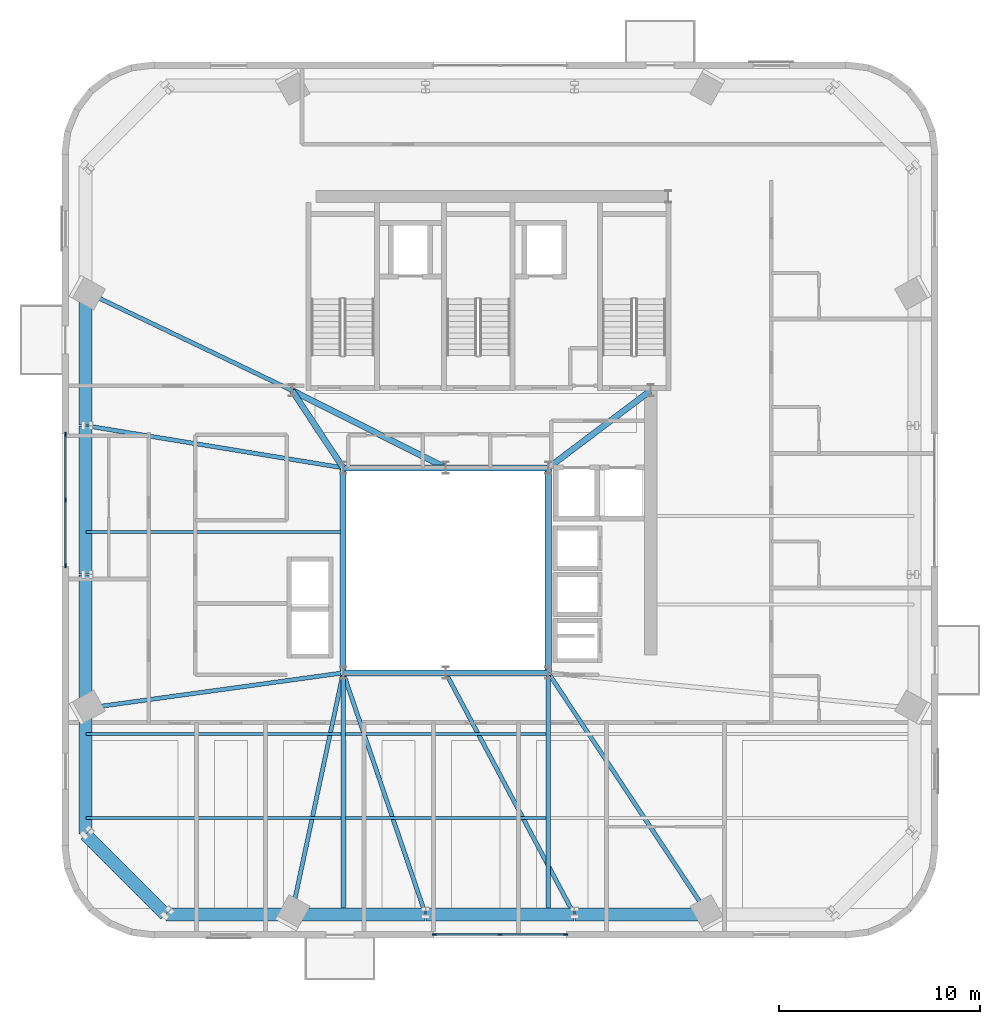
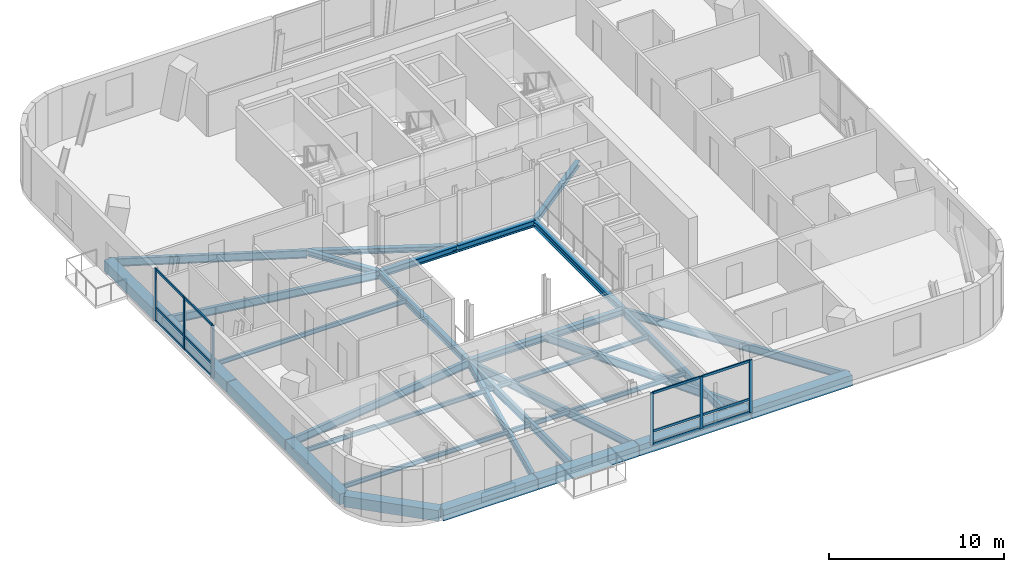
# One storey, part 3 of 14: 32 beams, 18 members, 2 elements without a shape of their own.
"""IFC4 building model written with IfcOpenShell, lengths in metres."""

from ifc_helpers import new_model, si_unit, direction, frame, origin, origin_2d, place, context, subcontext, project, spatial, rectangle, i_section, extrude, source, transform, mapped, material, material_profile, profile_set, type_object, element, aggregate, save


model = new_model("IFC4")

# Units and contexts
model_context = context("Model", 3, precision=1e-05, world=origin(), true_north=direction((0.0, 1.0)))
body_context = subcontext(model_context, "Body", "Model", "MODEL_VIEW")
ifc_project = project(units=[si_unit("LENGTHUNIT", "METRE"), si_unit("AREAUNIT", "SQUARE_METRE"), si_unit("VOLUMEUNIT", "CUBIC_METRE"), si_unit("PLANEANGLEUNIT", "RADIAN"), si_unit("MASSUNIT", "GRAM", prefix="KILO")], contexts=[model_context])

# Site, building, storey
site_placement = place(None, origin())
site = spatial("IfcSite", under=ifc_project, at=site_placement, CompositionType="ELEMENT")
building_placement = place(site_placement, origin())
building = spatial("IfcBuilding", under=site, at=building_placement, Name="Vardaveli Station Tower", CompositionType="ELEMENT")
storey_placement = place(building_placement, frame((0.0, 0.0, 266.39990234375)))
storey = spatial("IfcBuildingStorey", under=building, at=storey_placement, Name="L68", CompositionType="ELEMENT", Elevation=266.39990234375)

# Beams
ifc_material_1 = material(Name="Structural steel S355J2", Category="steel")
ifc_material_profile_1 = material_profile(ifc_material_1, i_section(OverallWidth=0.300048828125, OverallDepth=0.449951171875, WebThickness=0.013916015625, FlangeThickness=0.02587890625, FilletRadius=0.027099609375, at=origin_2d()), Name="HEB 450")
ifc_profile_set_1 = profile_set([ifc_material_profile_1], Name="Structural steel S355J2")
beam_type_1 = type_object("IfcBeamType", Name="BM-HEB450", PredefinedType="BEAM", material=ifc_profile_set_1)
shared_shape_1 = source(origin(), body_context, "Body", "SweptSolid", [
    extrude(i_section(OverallWidth=0.300048828125, OverallDepth=0.449951171875, WebThickness=0.013916015625, FlangeThickness=0.02587890625, FilletRadius=0.027099609375, at=origin_2d()), origin(), (0.0, 0.0, 1.0), 5.06005859375),
])
for number, where, z_axis, x_axis, name in (
    (1, (31.219970703125, 16.60009765625, -0.52490234375), (1.0, 0.0, 0.0), (0.0, 1.0, 0.0), "ABM-L68-01"),
    (2, (36.280029296875, 26.800048828125, -0.52490234375), (-1.0, 0.0, 0.0), (0.0, -1.0, 0.0), "ABM-L68-05"),
):
    element("IfcBeam", number, at=place(storey_placement, frame(where, z_axis=z_axis, x_axis=x_axis)), inside=storey, type_object=beam_type_1, Name=name, PredefinedType="BEAM", context=body_context, shape_type="MappedRepresentation", body=[
        mapped(shared_shape_1, transform((0.0, 0.0, 0.0), scale=1.0)),
    ])
shared_shape_2 = source(origin(), body_context, "Body", "SweptSolid", [
    extrude(i_section(OverallWidth=0.300048828125, OverallDepth=0.449951171875, WebThickness=0.013916015625, FlangeThickness=0.02587890625, FilletRadius=0.027099609375, at=origin_2d()), origin(), (0.0, 0.0, 1.0), 5.059814453125),
])
for number, where, z_axis, x_axis, name in (
    (3, (36.320068359375, 16.60009765625, -0.52490234375), (1.0, 0.0, 0.0), (0.0, 1.0, 0.0), "ABM-L68-02"),
    (4, (41.3798828125, 26.800048828125, -0.52490234375), (-1.0, 0.0, 0.0), (0.0, -1.0, 0.0), "ABM-L68-04"),
):
    element("IfcBeam", number, at=place(storey_placement, frame(where, z_axis=z_axis, x_axis=x_axis)), inside=storey, type_object=beam_type_1, Name=name, PredefinedType="BEAM", context=body_context, shape_type="MappedRepresentation", body=[
        mapped(shared_shape_2, transform((0.0, 0.0, 0.0), scale=1.0)),
    ])
shared_shape_3 = source(origin(), body_context, "Body", "SweptSolid", [
    extrude(i_section(OverallWidth=0.300048828125, OverallDepth=0.449951171875, WebThickness=0.013916015625, FlangeThickness=0.02587890625, FilletRadius=0.027099609375, at=origin_2d()), origin(), (0.0, 0.0, 1.0), 10.159912109375),
])
for number, where, z_axis, x_axis, name in (
    (5, (41.39990234375, 16.6201171875, -0.52490234375), (0.0, 1.0, 0.0), (-1.0, 0.0, 0.0), "ABM-L68-03"),
    (6, (31.199951171875, 26.780029296875, -0.52490234375), (0.0, -1.0, 0.0), (1.0, 0.0, 0.0), "ABM-L68-06"),
):
    element("IfcBeam", number, at=place(storey_placement, frame(where, z_axis=z_axis, x_axis=x_axis)), inside=storey, type_object=beam_type_1, Name=name, PredefinedType="BEAM", context=body_context, shape_type="MappedRepresentation", body=[
        mapped(shared_shape_3, transform((0.0, 0.0, 0.0), scale=1.0)),
    ])
ifc_material_profile_2 = material_profile(ifc_material_1, i_section(OverallWidth=0.300048828125, OverallDepth=0.360107421875, WebThickness=0.012451171875, FlangeThickness=0.0224609375, FilletRadius=0.027099609375, at=origin_2d()), Name="HEB 360")
ifc_profile_set_2 = profile_set([ifc_material_profile_2], Name="Structural steel S355J2")
beam_type_2 = type_object("IfcBeamType", Name="BM-HEB360", PredefinedType="BEAM", material=ifc_profile_set_2)
shared_shape_4 = source(origin(), body_context, "Body", "SweptSolid", [
    extrude(i_section(OverallWidth=0.300048828125, OverallDepth=0.360107421875, WebThickness=0.012451171875, FlangeThickness=0.0224609375, FilletRadius=0.027099609375, at=origin_2d()), origin(), (0.0, 0.0, 1.0), 4.577880859375),
])
beam_1_placement = place(storey_placement, frame((31.18896484375, 26.816650390625, -0.47998046875), z_axis=(-0.55218702139, 0.833720272879, 0.0), x_axis=(-0.833720272879, -0.55218702139, 0.0)))
element("IfcBeam", 7, at=beam_1_placement, inside=storey, type_object=beam_type_2, Name="CBM-L68-01", PredefinedType="BEAM", context=body_context, shape_type="MappedRepresentation", body=[
    mapped(shared_shape_4, transform((0.0, 0.0, 0.0), scale=1.0)),
])
shared_shape_5 = source(origin(), body_context, "Body", "SweptSolid", [
    extrude(i_section(OverallWidth=0.300048828125, OverallDepth=0.360107421875, WebThickness=0.012451171875, FlangeThickness=0.0224609375, FilletRadius=0.027099609375, at=origin_2d()), origin(), (0.0, 0.0, 1.0), 6.35009765625),
])
beam_2_placement = place(storey_placement, frame((41.416015625, 26.81201171875, -0.47998046875), z_axis=(0.798118337722, 0.602500721154, 0.0), x_axis=(-0.602500721154, 0.798118337722, 0.0)))
element("IfcBeam", 8, at=beam_2_placement, inside=storey, type_object=beam_type_2, Name="CBM-L68-02", PredefinedType="BEAM", context=body_context, shape_type="MappedRepresentation", body=[
    mapped(shared_shape_5, transform((0.0, 0.0, 0.0), scale=1.0)),
])
shared_shape_6 = source(origin(), body_context, "Body", "SweptSolid", [
    extrude(i_section(OverallWidth=0.300048828125, OverallDepth=0.360107421875, WebThickness=0.012451171875, FlangeThickness=0.0224609375, FilletRadius=0.027099609375, at=origin_2d()), origin(), (0.0, 0.0, 1.0), 8.524169921875),
])
beam_3_placement = place(storey_placement, frame((28.66796875, 30.64111328125, -0.47998046875), z_axis=(0.893255584708, -0.449549174605, 0.0), x_axis=(0.449549174605, 0.893255584708, 0.0)))
element("IfcBeam", 9, at=beam_3_placement, inside=storey, type_object=beam_type_2, Name="CBM-L68-03", PredefinedType="BEAM", context=body_context, shape_type="MappedRepresentation", body=[
    mapped(shared_shape_6, transform((0.0, 0.0, 0.0), scale=1.0)),
])
ifc_material_2 = material(Name="Precast concrete C45/55", Category="concrete")
ifc_material_profile_3 = material_profile(ifc_material_2, rectangle(XDim=0.64990234375, YDim=0.75, at=origin_2d()), Name="LPB 650x750")
ifc_profile_set_3 = profile_set([ifc_material_profile_3], Name="Precast concrete C45/55")
beam_type_3 = type_object("IfcBeamType", Name="BM-LPB-750", PredefinedType="BEAM", material=ifc_profile_set_3)
shared_shape_7 = source(origin(), body_context, "Body", "SweptSolid", [
    extrude(rectangle(XDim=0.64990234375, YDim=0.75, at=origin_2d()), origin(), (0.0, 0.0, 1.0), 7.35986328125),
])
for number, where, z_axis, x_axis, name in (
    (10, (35.320068359375, 4.570068359375, -0.6748046875), (1.0, 0.0, 0.0), (0.0, 1.0, 0.0), "RBM-L68-02"),
    (11, (18.3701171875, 28.8798828125, -0.6748046875), (0.0, -1.0, 0.0), (1.0, 0.0, 0.0), "RBM-L68-20"),
):
    element("IfcBeam", number, at=place(storey_placement, frame(where, z_axis=z_axis, x_axis=x_axis)), inside=storey, type_object=beam_type_3, Name=name, PredefinedType="BEAM", context=body_context, shape_type="MappedRepresentation", body=[
        mapped(shared_shape_7, transform((0.0, 0.0, 0.0), scale=1.0)),
    ])
ifc_material_profile_4 = material_profile(ifc_material_1, i_section(OverallWidth=0.14990234375, OverallDepth=0.300048828125, WebThickness=0.007080078125, FlangeThickness=0.0107421875, FilletRadius=0.014892578125, at=origin_2d()), Name="IPE 300")
ifc_profile_set_4 = profile_set([ifc_material_profile_4], Name="Structural steel S355J2")
beam_type_4 = type_object("IfcBeamType", Name="BM-IPE300", PredefinedType="JOIST", material=ifc_profile_set_4)
shared_shape_8 = source(origin(), body_context, "Body", "SweptSolid", [
    extrude(i_section(OverallWidth=0.14990234375, OverallDepth=0.300048828125, WebThickness=0.007080078125, FlangeThickness=0.0107421875, FilletRadius=0.014892578125, at=origin_2d()), origin(), (0.0, 0.0, 1.0), 9.97607421875),
])
for number, where, z_axis, x_axis, name in (
    (12, (31.31201171875, 9.3701171875, -0.449951171875), (1.0, 0.0, 0.0), (0.0, 1.0, 0.0), "SJ-L68-S02"),
    (13, (31.31201171875, 13.570068359375, -0.449951171875), (1.0, 0.0, 0.0), (0.0, 1.0, 0.0), "SJ-L68-S05"),
):
    element("IfcBeam", number, at=place(storey_placement, frame(where, z_axis=z_axis, x_axis=x_axis)), inside=storey, type_object=beam_type_4, Name=name, PredefinedType="JOIST", context=body_context, shape_type="MappedRepresentation", body=[
        mapped(shared_shape_8, transform((0.0, 0.0, 0.0), scale=1.0)),
    ])
shared_shape_9 = source(origin(), body_context, "Body", "SweptSolid", [
    extrude(rectangle(XDim=0.64990234375, YDim=0.75, at=origin_2d()), origin(), (0.0, 0.0, 1.0), 5.616943359375),
])
beam_4_placement = place(storey_placement, frame((18.384033203125, 8.555908203125, -0.6748046875), z_axis=(0.707128513243, -0.707085048462, 0.0), x_axis=(0.707085048462, 0.707128513243, 0.0)))
element("IfcBeam", 14, at=beam_4_placement, inside=storey, type_object=beam_type_3, Name="RBM-L68-23", PredefinedType="BEAM", context=body_context, shape_type="MappedRepresentation", body=[
    mapped(shared_shape_9, transform((0.0, 0.0, 0.0), scale=1.0)),
])
shared_shape_10 = source(origin(), body_context, "Body", "SweptSolid", [
    extrude(rectangle(XDim=0.64990234375, YDim=0.75, at=origin_2d()), origin(), (0.0, 0.0, 1.0), 6.6279296875),
])
for number, where, z_axis, x_axis, name in (
    (15, (28.652099609375, 4.570068359375, -0.6748046875), (1.0, 0.0, 0.0), (0.0, 1.0, 0.0), "RBM-L68-01"),
    (16, (42.719970703125, 4.570068359375, -0.6748046875), (1.0, 0.0, 0.0), (0.0, 1.0, 0.0), "RBM-L68-03"),
    (17, (18.3701171875, 21.47998046875, -0.6748046875), (0.0, -1.0, 0.0), (1.0, 0.0, 0.0), "RBM-L68-21"),
):
    element("IfcBeam", number, at=place(storey_placement, frame(where, z_axis=z_axis, x_axis=x_axis)), inside=storey, type_object=beam_type_3, Name=name, PredefinedType="BEAM", context=body_context, shape_type="MappedRepresentation", body=[
        mapped(shared_shape_10, transform((0.0, 0.0, 0.0), scale=1.0)),
    ])
shared_shape_11 = source(origin(), body_context, "Body", "SweptSolid", [
    extrude(rectangle(XDim=0.64990234375, YDim=0.75, at=origin_2d()), origin(), (0.0, 0.0, 1.0), 6.22216796875),
])
beam_5_placement = place(storey_placement, frame((22.389892578125, 4.570068359375, -0.6748046875), z_axis=(1.0, 0.0, 0.0), x_axis=(0.0, 1.0, 0.0)))
element("IfcBeam", 18, at=beam_5_placement, inside=storey, type_object=beam_type_3, Name="RBM-L68-24", PredefinedType="BEAM", context=body_context, shape_type="MappedRepresentation", body=[
    mapped(shared_shape_11, transform((0.0, 0.0, 0.0), scale=1.0)),
])
shared_shape_12 = source(origin(), body_context, "Body", "SweptSolid", [
    extrude(rectangle(XDim=0.64990234375, YDim=0.75, at=origin_2d()), origin(), (0.0, 0.0, 1.0), 6.221923828125),
])
beam_6_placement = place(storey_placement, frame((18.3701171875, 14.81201171875, -0.6748046875), z_axis=(0.0, -1.0, 0.0), x_axis=(1.0, 0.0, 0.0)))
element("IfcBeam", 19, at=beam_6_placement, inside=storey, type_object=beam_type_3, Name="RBM-L68-22", PredefinedType="BEAM", context=body_context, shape_type="MappedRepresentation", body=[
    mapped(shared_shape_12, transform((0.0, 0.0, 0.0), scale=1.0)),
])
shared_shape_13 = source(origin(), body_context, "Body", "SweptSolid", [
    extrude(rectangle(XDim=0.64990234375, YDim=0.75, at=origin_2d()), origin(), (0.0, 0.0, 1.0), 6.628173828125),
])
beam_7_placement = place(storey_placement, frame((18.3701171875, 35.548095703125, -0.6748046875), z_axis=(0.0, -1.0, 0.0), x_axis=(1.0, 0.0, 0.0)))
element("IfcBeam", 20, at=beam_7_placement, inside=storey, type_object=beam_type_3, Name="RBM-L68-19", PredefinedType="BEAM", context=body_context, shape_type="MappedRepresentation", body=[
    mapped(shared_shape_13, transform((0.0, 0.0, 0.0), scale=1.0)),
])
ifc_material_profile_5 = material_profile(ifc_material_1, i_section(OverallWidth=0.2099609375, OverallDepth=0.550048828125, WebThickness=0.010986328125, FlangeThickness=0.01708984375, FilletRadius=0.02392578125, at=origin_2d()), Name="IPE 550")
ifc_profile_set_5 = profile_set([ifc_material_profile_5], Name="Structural steel S355J2")
beam_type_5 = type_object("IfcBeamType", Name="BM-IPE550", PredefinedType="BEAM", material=ifc_profile_set_5)
shared_shape_14 = source(origin(), body_context, "Body", "SweptSolid", [
    extrude(i_section(OverallWidth=0.2099609375, OverallDepth=0.550048828125, WebThickness=0.010986328125, FlangeThickness=0.01708984375, FilletRadius=0.02392578125, at=origin_2d()), origin(), (0.0, 0.0, 1.0), 12.260986328125),
])
beam_8_placement = place(storey_placement, frame((28.63623046875, 4.589599609375, -0.574951171875), z_axis=(0.208759345027, 0.97796704232, 0.0), x_axis=(-0.97796704232, 0.208759345027, 0.0)))
element("IfcBeam", 21, at=beam_8_placement, inside=storey, type_object=beam_type_5, Name="GBM-L68-01", PredefinedType="BEAM", context=body_context, shape_type="MappedRepresentation", body=[
    mapped(shared_shape_14, transform((0.0, 0.0, 0.0), scale=1.0)),
])
shared_shape_15 = source(origin(), body_context, "Body", "SweptSolid", [
    extrude(i_section(OverallWidth=0.2099609375, OverallDepth=0.550048828125, WebThickness=0.010986328125, FlangeThickness=0.01708984375, FilletRadius=0.02392578125, at=origin_2d()), origin(), (0.0, 0.0, 1.0), 12.66943359375),
])
beam_9_placement = place(storey_placement, frame((35.29345703125, 4.5888671875, -0.574951171875), z_axis=(-0.322579760909, 0.946542285295, 0.0), x_axis=(-0.946542285295, -0.322579760909, 0.0)))
element("IfcBeam", 22, at=beam_9_placement, inside=storey, type_object=beam_type_5, Name="GBM-L68-02", PredefinedType="BEAM", context=body_context, shape_type="MappedRepresentation", body=[
    mapped(shared_shape_15, transform((0.0, 0.0, 0.0), scale=1.0)),
])
shared_shape_16 = source(origin(), body_context, "Body", "SweptSolid", [
    extrude(i_section(OverallWidth=0.2099609375, OverallDepth=0.550048828125, WebThickness=0.010986328125, FlangeThickness=0.01708984375, FilletRadius=0.02392578125, at=origin_2d()), origin(), (0.0, 0.0, 1.0), 13.58642578125),
])
beam_10_placement = place(storey_placement, frame((42.690673828125, 4.587646484375, -0.574951171875), z_axis=(-0.469683301839, 0.882834976637, 0.0), x_axis=(-0.882834976637, -0.469683301839, 0.0)))
element("IfcBeam", 23, at=beam_10_placement, inside=storey, type_object=beam_type_5, Name="GBM-L68-03", PredefinedType="BEAM", context=body_context, shape_type="MappedRepresentation", body=[
    mapped(shared_shape_16, transform((0.0, 0.0, 0.0), scale=1.0)),
])
shared_shape_17 = source(origin(), body_context, "Body", "SweptSolid", [
    extrude(i_section(OverallWidth=0.2099609375, OverallDepth=0.550048828125, WebThickness=0.010986328125, FlangeThickness=0.01708984375, FilletRadius=0.02392578125, at=origin_2d()), origin(), (0.0, 0.0, 1.0), 14.389404296875),
])
beam_11_placement = place(storey_placement, frame((49.35693359375, 4.586669921875, -0.574951171875), z_axis=(-0.552199669458, 0.833711895711, 0.0), x_axis=(-0.833711895711, -0.552199669458, 0.0)))
element("IfcBeam", 24, at=beam_11_placement, inside=storey, type_object=beam_type_5, Name="GBM-L68-04", PredefinedType="BEAM", context=body_context, shape_type="MappedRepresentation", body=[
    mapped(shared_shape_17, transform((0.0, 0.0, 0.0), scale=1.0)),
])
shared_shape_18 = source(origin(), body_context, "Body", "SweptSolid", [
    extrude(i_section(OverallWidth=0.2099609375, OverallDepth=0.550048828125, WebThickness=0.010986328125, FlangeThickness=0.01708984375, FilletRadius=0.02392578125, at=origin_2d()), origin(), (0.0, 0.0, 1.0), 12.960693359375),
])
beam_12_placement = place(storey_placement, frame((18.3896484375, 28.896728515625, -0.574951171875), z_axis=(0.986868305187, -0.161526927219, 0.0), x_axis=(0.161526927219, 0.986868305187, 0.0)))
element("IfcBeam", 25, at=beam_12_placement, inside=storey, type_object=beam_type_5, Name="GBM-L68-08", PredefinedType="BEAM", context=body_context, shape_type="MappedRepresentation", body=[
    mapped(shared_shape_18, transform((0.0, 0.0, 0.0), scale=1.0)),
])
shared_shape_19 = source(origin(), body_context, "Body", "SweptSolid", [
    extrude(i_section(OverallWidth=0.2099609375, OverallDepth=0.550048828125, WebThickness=0.010986328125, FlangeThickness=0.01708984375, FilletRadius=0.02392578125, at=origin_2d()), origin(), (0.0, 0.0, 1.0), 12.9111328125),
])
beam_13_placement = place(storey_placement, frame((18.389892578125, 14.834716796875, -0.574951171875), z_axis=(0.990639213469, 0.136506222337, 0.0), x_axis=(-0.136506222337, 0.990639213469, 0.0)))
element("IfcBeam", 26, at=beam_13_placement, inside=storey, type_object=beam_type_5, Name="GBM-L68-10", PredefinedType="BEAM", context=body_context, shape_type="MappedRepresentation", body=[
    mapped(shared_shape_19, transform((0.0, 0.0, 0.0), scale=1.0)),
])
shared_shape_20 = source(origin(), body_context, "Body", "SweptSolid", [
    extrude(i_section(OverallWidth=0.2099609375, OverallDepth=0.550048828125, WebThickness=0.010986328125, FlangeThickness=0.01708984375, FilletRadius=0.02392578125, at=origin_2d()), origin(), (0.0, 0.0, 1.0), 11.355712890625),
])
beam_14_placement = place(storey_placement, frame((18.387939453125, 35.559326171875, -0.574951171875), z_axis=(0.902086917871, -0.431554391249, 0.0), x_axis=(0.431554391249, 0.902086917871, 0.0)))
element("IfcBeam", 27, at=beam_14_placement, inside=storey, type_object=beam_type_5, Name="GBM-L68-12", PredefinedType="BEAM", context=body_context, shape_type="MappedRepresentation", body=[
    mapped(shared_shape_20, transform((0.0, 0.0, 0.0), scale=1.0)),
])
shared_shape_21 = source(origin(), body_context, "Body", "SweptSolid", [
    extrude(i_section(OverallWidth=0.2099609375, OverallDepth=0.550048828125, WebThickness=0.010986328125, FlangeThickness=0.01708984375, FilletRadius=0.02392578125, at=origin_2d()), origin(), (0.0, 0.0, 1.0), 11.849853515625),
])
for number, where, z_axis, x_axis, name in (
    (28, (31.199951171875, 4.610107421875, -0.574951171875), (0.0, 1.0, 0.0), (-1.0, 0.0, 0.0), "NSM-L68-S1"),
    (29, (41.39990234375, 4.610107421875, -0.574951171875), (0.0, 1.0, 0.0), (-1.0, 0.0, 0.0), "NSM-L68-S2"),
):
    element("IfcBeam", number, at=place(storey_placement, frame(where, z_axis=z_axis, x_axis=x_axis)), inside=storey, type_object=beam_type_5, Name=name, PredefinedType="BEAM", context=body_context, shape_type="MappedRepresentation", body=[
        mapped(shared_shape_21, transform((0.0, 0.0, 0.0), scale=1.0)),
    ])
shared_shape_22 = source(origin(), body_context, "Body", "SweptSolid", [
    extrude(i_section(OverallWidth=0.14990234375, OverallDepth=0.300048828125, WebThickness=0.007080078125, FlangeThickness=0.0107421875, FilletRadius=0.014892578125, at=origin_2d()), origin(), (0.0, 0.0, 1.0), 12.677978515625),
])
for number, where, z_axis, x_axis, name in (
    (30, (18.409912109375, 9.3701171875, -0.449951171875), (1.0, 0.0, 0.0), (0.0, 1.0, 0.0), "SJ-L68-S01"),
    (31, (18.409912109375, 13.570068359375, -0.449951171875), (1.0, 0.0, 0.0), (0.0, 1.0, 0.0), "SJ-L68-S04"),
    (32, (18.409912109375, 23.60009765625, -0.449951171875), (1.0, 0.0, 0.0), (0.0, 1.0, 0.0), "SJ-L68-W08"),
):
    element("IfcBeam", number, at=place(storey_placement, frame(where, z_axis=z_axis, x_axis=x_axis)), inside=storey, type_object=beam_type_4, Name=name, PredefinedType="JOIST", context=body_context, shape_type="MappedRepresentation", body=[
        mapped(shared_shape_22, transform((0.0, 0.0, 0.0), scale=1.0)),
    ])

# Curtain wall, members
ifc_material_3 = material(Name="Travertine stone and solar-control glass", Category="masonry")
curtain_wall_type = type_object("IfcCurtainWallType", Name="CW-SYS-5", PredefinedType="NOTDEFINED", material=ifc_material_3)
curtain_wall_1_placement = place(storey_placement, origin())
curtain_wall_1 = element("IfcCurtainWall", 33, at=curtain_wall_1_placement, inside=storey, type_object=curtain_wall_type, Name="CW-L68-S", PredefinedType="NOTDEFINED")
ifc_material_4 = material(Name="Anodised aluminium alloy 6063-T6", Category="aluminium")
ifc_material_profile_6 = material_profile(ifc_material_4, rectangle(XDim=0.080078125, YDim=0.1650390625, at=origin_2d()), Name="CWT 80x165")
ifc_profile_set_6 = profile_set([ifc_material_profile_6], Name="Anodised aluminium alloy 6063-T6")
member_type_1 = type_object("IfcMemberType", Name="CW-SYS-5-TRAN", PredefinedType="NOTDEFINED", material=ifc_profile_set_6)
shared_shape_23 = source(origin(), body_context, "Body", "SweptSolid", [
    extrude(rectangle(XDim=0.080078125, YDim=0.1650390625, at=origin_2d()), origin(), (0.0, 0.0, 1.0), 3.179931640625),
])
member_1_placement = place(storey_placement, frame((35.780029296875, 3.580078125, 0.0400390625), z_axis=(1.0, 0.0, 0.0), x_axis=(0.0, 1.0, 0.0)))
member_1 = element("IfcMember", 34, at=member_1_placement, type_object=member_type_1, Name="CW-5 transom 1.1", ObjectType="TRANSOM", PredefinedType="USERDEFINED", context=body_context, shape_type="MappedRepresentation", body=[
    mapped(shared_shape_23, transform((0.0, 0.0, 0.0), scale=1.0)),
])
member_2_placement = place(storey_placement, frame((35.780029296875, 3.580078125, 0.9501953125), z_axis=(1.0, 0.0, 0.0), x_axis=(0.0, 1.0, 0.0)))
member_2 = element("IfcMember", 35, at=member_2_placement, type_object=member_type_1, Name="CW-5 transom 1.2", ObjectType="TRANSOM", PredefinedType="USERDEFINED", context=body_context, shape_type="MappedRepresentation", body=[
    mapped(shared_shape_23, transform((0.0, 0.0, 0.0), scale=1.0)),
])
member_3_placement = place(storey_placement, frame((35.780029296875, 3.580078125, 3.610107421875), z_axis=(1.0, 0.0, 0.0), x_axis=(0.0, 1.0, 0.0)))
member_3 = element("IfcMember", 36, at=member_3_placement, type_object=member_type_1, Name="CW-5 transom 1.3", ObjectType="TRANSOM", PredefinedType="USERDEFINED", context=body_context, shape_type="MappedRepresentation", body=[
    mapped(shared_shape_23, transform((0.0, 0.0, 0.0), scale=1.0)),
])
member_4_placement = place(storey_placement, frame((39.0400390625, 3.580078125, 0.0400390625), z_axis=(1.0, 0.0, 0.0), x_axis=(0.0, 1.0, 0.0)))
member_4 = element("IfcMember", 37, at=member_4_placement, type_object=member_type_1, Name="CW-5 transom 2.1", ObjectType="TRANSOM", PredefinedType="USERDEFINED", context=body_context, shape_type="MappedRepresentation", body=[
    mapped(shared_shape_23, transform((0.0, 0.0, 0.0), scale=1.0)),
])
member_5_placement = place(storey_placement, frame((39.0400390625, 3.580078125, 0.9501953125), z_axis=(1.0, 0.0, 0.0), x_axis=(0.0, 1.0, 0.0)))
member_5 = element("IfcMember", 38, at=member_5_placement, type_object=member_type_1, Name="CW-5 transom 2.2", ObjectType="TRANSOM", PredefinedType="USERDEFINED", context=body_context, shape_type="MappedRepresentation", body=[
    mapped(shared_shape_23, transform((0.0, 0.0, 0.0), scale=1.0)),
])
member_6_placement = place(storey_placement, frame((39.0400390625, 3.580078125, 3.610107421875), z_axis=(1.0, 0.0, 0.0), x_axis=(0.0, 1.0, 0.0)))
member_6 = element("IfcMember", 39, at=member_6_placement, type_object=member_type_1, Name="CW-5 transom 2.3", ObjectType="TRANSOM", PredefinedType="USERDEFINED", context=body_context, shape_type="MappedRepresentation", body=[
    mapped(shared_shape_23, transform((0.0, 0.0, 0.0), scale=1.0)),
])

curtain_wall_2_placement = place(storey_placement, origin())
curtain_wall_2 = element("IfcCurtainWall", 40, at=curtain_wall_2_placement, inside=storey, type_object=curtain_wall_type, Name="CW-L68-W", PredefinedType="NOTDEFINED")
member_7_placement = place(storey_placement, frame((17.3798828125, 28.419921875, 0.0400390625), z_axis=(0.0, -1.0, 0.0), x_axis=(1.0, 0.0, 0.0)))
member_7 = element("IfcMember", 41, at=member_7_placement, type_object=member_type_1, Name="CW-5 transom 1.1", ObjectType="TRANSOM", PredefinedType="USERDEFINED", context=body_context, shape_type="MappedRepresentation", body=[
    mapped(shared_shape_23, transform((0.0, 0.0, 0.0), scale=1.0)),
])
member_8_placement = place(storey_placement, frame((17.3798828125, 28.419921875, 0.9501953125), z_axis=(0.0, -1.0, 0.0), x_axis=(1.0, 0.0, 0.0)))
member_8 = element("IfcMember", 42, at=member_8_placement, type_object=member_type_1, Name="CW-5 transom 1.2", ObjectType="TRANSOM", PredefinedType="USERDEFINED", context=body_context, shape_type="MappedRepresentation", body=[
    mapped(shared_shape_23, transform((0.0, 0.0, 0.0), scale=1.0)),
])
member_9_placement = place(storey_placement, frame((17.3798828125, 28.419921875, 3.610107421875), z_axis=(0.0, -1.0, 0.0), x_axis=(1.0, 0.0, 0.0)))
member_9 = element("IfcMember", 43, at=member_9_placement, type_object=member_type_1, Name="CW-5 transom 1.3", ObjectType="TRANSOM", PredefinedType="USERDEFINED", context=body_context, shape_type="MappedRepresentation", body=[
    mapped(shared_shape_23, transform((0.0, 0.0, 0.0), scale=1.0)),
])
member_10_placement = place(storey_placement, frame((17.3798828125, 25.159912109375, 0.0400390625), z_axis=(0.0, -1.0, 0.0), x_axis=(1.0, 0.0, 0.0)))
member_10 = element("IfcMember", 44, at=member_10_placement, type_object=member_type_1, Name="CW-5 transom 2.1", ObjectType="TRANSOM", PredefinedType="USERDEFINED", context=body_context, shape_type="MappedRepresentation", body=[
    mapped(shared_shape_23, transform((0.0, 0.0, 0.0), scale=1.0)),
])
member_11_placement = place(storey_placement, frame((17.3798828125, 25.159912109375, 0.9501953125), z_axis=(0.0, -1.0, 0.0), x_axis=(1.0, 0.0, 0.0)))
member_11 = element("IfcMember", 45, at=member_11_placement, type_object=member_type_1, Name="CW-5 transom 2.2", ObjectType="TRANSOM", PredefinedType="USERDEFINED", context=body_context, shape_type="MappedRepresentation", body=[
    mapped(shared_shape_23, transform((0.0, 0.0, 0.0), scale=1.0)),
])
member_12_placement = place(storey_placement, frame((17.3798828125, 25.159912109375, 3.610107421875), z_axis=(0.0, -1.0, 0.0), x_axis=(1.0, 0.0, 0.0)))
member_12 = element("IfcMember", 46, at=member_12_placement, type_object=member_type_1, Name="CW-5 transom 2.3", ObjectType="TRANSOM", PredefinedType="USERDEFINED", context=body_context, shape_type="MappedRepresentation", body=[
    mapped(shared_shape_23, transform((0.0, 0.0, 0.0), scale=1.0)),
])

# Member
ifc_material_profile_7 = material_profile(ifc_material_4, rectangle(XDim=0.080078125, YDim=0.205078125, at=origin_2d()), Name="CWM 80x205")
ifc_profile_set_7 = profile_set([ifc_material_profile_7], Name="Anodised aluminium alloy 6063-T6")
member_type_2 = type_object("IfcMemberType", Name="CW-SYS-5-MULL", PredefinedType="MULLION", material=ifc_profile_set_7)
shared_shape_24 = source(origin(), body_context, "Body", "SweptSolid", [
    extrude(rectangle(XDim=0.080078125, YDim=0.205078125, at=origin_2d()), origin(), (0.0, 0.0, 1.0), 3.650146484375),
])
member_13_placement = place(storey_placement, frame((35.739990234375, 3.580078125, 0.0), z_axis=(0.0, 0.0, 1.0), x_axis=(0.0, 1.0, 0.0)))
member_13 = element("IfcMember", 47, at=member_13_placement, type_object=member_type_2, Name="CW-5 mullion 1", PredefinedType="MULLION", context=body_context, shape_type="MappedRepresentation", body=[
    mapped(shared_shape_24, transform((0.0, 0.0, 0.0), scale=1.0)),
])

member_14_placement = place(storey_placement, frame((39.0, 3.580078125, 0.0), z_axis=(0.0, 0.0, 1.0), x_axis=(0.0, 1.0, 0.0)))
member_14 = element("IfcMember", 48, at=member_14_placement, type_object=member_type_2, Name="CW-5 mullion 2", PredefinedType="MULLION", context=body_context, shape_type="MappedRepresentation", body=[
    mapped(shared_shape_24, transform((0.0, 0.0, 0.0), scale=1.0)),
])

member_15_placement = place(storey_placement, frame((42.260009765625, 3.580078125, 0.0), z_axis=(0.0, 0.0, 1.0), x_axis=(0.0, 1.0, 0.0)))
member_15 = element("IfcMember", 49, at=member_15_placement, type_object=member_type_2, Name="CW-5 mullion 3", PredefinedType="MULLION", context=body_context, shape_type="MappedRepresentation", body=[
    mapped(shared_shape_24, transform((0.0, 0.0, 0.0), scale=1.0)),
])

aggregate(curtain_wall_1, [member_13, member_14, member_15, member_1, member_2, member_3, member_4, member_5, member_6])

member_16_placement = place(storey_placement, frame((17.3798828125, 28.4599609375, 0.0), z_axis=(0.0, 0.0, 1.0), x_axis=(1.0, 0.0, 0.0)))
member_16 = element("IfcMember", 50, at=member_16_placement, type_object=member_type_2, Name="CW-5 mullion 1", PredefinedType="MULLION", context=body_context, shape_type="MappedRepresentation", body=[
    mapped(shared_shape_24, transform((0.0, 0.0, 0.0), scale=1.0)),
])

member_17_placement = place(storey_placement, frame((17.3798828125, 25.199951171875, 0.0), z_axis=(0.0, 0.0, 1.0), x_axis=(1.0, 0.0, 0.0)))
member_17 = element("IfcMember", 51, at=member_17_placement, type_object=member_type_2, Name="CW-5 mullion 2", PredefinedType="MULLION", context=body_context, shape_type="MappedRepresentation", body=[
    mapped(shared_shape_24, transform((0.0, 0.0, 0.0), scale=1.0)),
])

member_18_placement = place(storey_placement, frame((17.3798828125, 21.93994140625, 0.0), z_axis=(0.0, 0.0, 1.0), x_axis=(1.0, 0.0, 0.0)))
member_18 = element("IfcMember", 52, at=member_18_placement, type_object=member_type_2, Name="CW-5 mullion 3", PredefinedType="MULLION", context=body_context, shape_type="MappedRepresentation", body=[
    mapped(shared_shape_24, transform((0.0, 0.0, 0.0), scale=1.0)),
])

aggregate(curtain_wall_2, [member_16, member_17, member_18, member_7, member_8, member_9, member_10, member_11, member_12])

save(model, "model.ifc")
